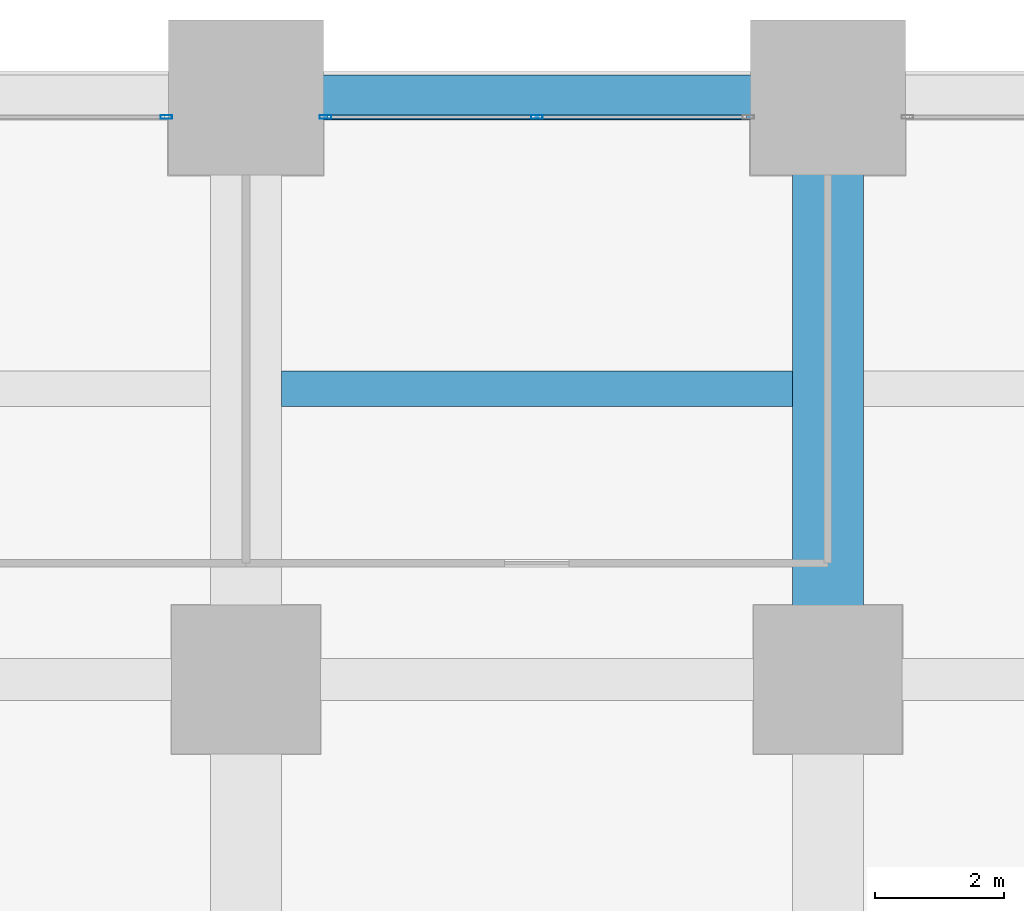
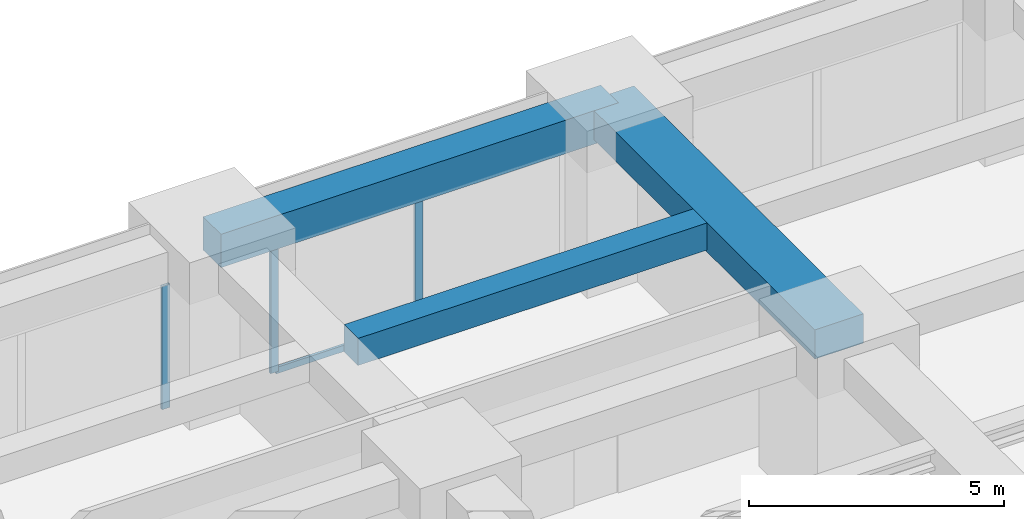
# One storey, part 29 of 45: 4 members, 3 beams, 2 elements without a shape of their own.
"""IFC4 building model written with IfcOpenShell, lengths in metres."""

from ifc_helpers import new_model, si_unit, direction, frame, origin, origin_2d, place, context, subcontext, project, spatial, rectangle, hollow_rectangle, extrude, material, material_profile, profile_set, type_object, element, aggregate, save


model = new_model("IFC4")

# Units and contexts
model_context = context("Model", 3, precision=1e-05, world=origin(), true_north=direction((0.0, 1.0)))
body_context = subcontext(model_context, "Body", "Model", "MODEL_VIEW")
ifc_project = project(units=[si_unit("LENGTHUNIT", "METRE"), si_unit("AREAUNIT", "SQUARE_METRE"), si_unit("VOLUMEUNIT", "CUBIC_METRE"), si_unit("PLANEANGLEUNIT", "RADIAN"), si_unit("MASSUNIT", "GRAM", prefix="KILO")], contexts=[model_context])

# Site, building, storey
site_placement = place(None, origin())
site = spatial("IfcSite", under=ifc_project, at=site_placement, CompositionType="ELEMENT")
building_placement = place(site_placement, origin())
building = spatial("IfcBuilding", under=site, at=building_placement, Name="Zorevar Civic Tower", CompositionType="ELEMENT")
storey_placement = place(building_placement, frame((0.0, 0.0, 27.800048828125)))
storey = spatial("IfcBuildingStorey", under=building, at=storey_placement, Name="L06", CompositionType="ELEMENT", Elevation=27.800048828125)

# Beams
ifc_material_1 = material(Name="Concrete C50/60", Category="concrete")
ifc_material_profile_1 = material_profile(ifc_material_1, rectangle(XDim=1.10009765625, YDim=0.699951171875, at=origin_2d()), Name="RC 1100x700")
ifc_profile_set_1 = profile_set([ifc_material_profile_1], Name="Concrete C50/60")
beam_type_1 = type_object("IfcBeamType", Name="Beam RC 1100x700", PredefinedType="BEAM", material=ifc_profile_set_1)
beam_1_placement = place(storey_placement, frame((27.0, 45.0, 3.39990234375), z_axis=(0.0, 1.0, 0.0), x_axis=(-1.0, 0.0, 0.0)))
element("IfcBeam", 1, at=beam_1_placement, inside=storey, type_object=beam_type_1, Name="Girder L07", PredefinedType="BEAM", context=body_context, shape_type="SweptSolid", body=[
    extrude(rectangle(XDim=1.10009765625, YDim=0.699951171875, at=origin_2d()), origin(), (0.0, 0.0, 1.0), 9.0),
])
ifc_material_2 = material(Name="Concrete C50/60", Category="concrete")
ifc_material_profile_2 = material_profile(ifc_material_2, rectangle(XDim=0.550048828125, YDim=0.64990234375, at=origin_2d()), Name="RC 550x650")
ifc_profile_set_2 = profile_set([ifc_material_profile_2], Name="Concrete C50/60")
beam_type_2 = type_object("IfcBeamType", Name="Beam RC 550x650", PredefinedType="BEAM", material=ifc_profile_set_2)
beam_2_placement = place(storey_placement, frame((18.550048828125, 49.5, 3.425048828125), z_axis=(1.0, 0.0, 0.0), x_axis=(0.0, 1.0, 0.0)))
element("IfcBeam", 2, at=beam_2_placement, inside=storey, type_object=beam_type_2, Name="Secondary beam L07", PredefinedType="BEAM", context=body_context, shape_type="SweptSolid", body=[
    extrude(rectangle(XDim=0.550048828125, YDim=0.64990234375, at=origin_2d()), origin(), (0.0, 0.0, 1.0), 7.89990234375),
])

# Curtain wall, member
ifc_material_3 = material(Name="Dark grey solar-control glass in black aluminium frame", Category="aluminium")
curtain_wall_type = type_object("IfcCurtainWallType", Name="Curtain wall CW2 low zone", PredefinedType="NOTDEFINED", material=ifc_material_3)
curtain_wall_1_placement = place(storey_placement, origin())
curtain_wall_1 = element("IfcCurtainWall", 3, at=curtain_wall_1_placement, inside=storey, type_object=curtain_wall_type, Name="CW2 L06", PredefinedType="NOTDEFINED")
ifc_material_4 = material(Name="Aluminium, black anodised", Category="aluminium")
ifc_material_profile_3 = material_profile(ifc_material_4, hollow_rectangle(XDim=0.06005859375, YDim=0.179931640625, WallThickness=0.00390625, at=origin_2d()), Name="AL 180x60x4")
ifc_profile_set_3 = profile_set([ifc_material_profile_3], Name="Aluminium, black anodised")
member_type_1 = type_object("IfcMemberType", Name="CW2 mullion AL 180x60x4", PredefinedType="MULLION", material=ifc_profile_set_3)
member_1_placement = place(storey_placement, frame((16.77001953125, 53.699951171875, 0.0), z_axis=(0.0, 0.0, 1.0), x_axis=(0.0, 1.0, 0.0)))
member_1 = element("IfcMember", 4, at=member_1_placement, type_object=member_type_1, Name="CW2 mullion 3", PredefinedType="MULLION", context=body_context, shape_type="SweptSolid", body=[
    extrude(hollow_rectangle(XDim=0.06005859375, YDim=0.179931640625, WallThickness=0.00390625, at=origin_2d()), origin(), (0.0, 0.0, 1.0), 2.949951171875),
])
aggregate(curtain_wall_1, [member_1])

# Curtain wall, members
curtain_wall_2_placement = place(storey_placement, origin())
curtain_wall_2 = element("IfcCurtainWall", 5, at=curtain_wall_2_placement, inside=storey, type_object=curtain_wall_type, Name="CW2 L06", PredefinedType="NOTDEFINED")
member_2_placement = place(storey_placement, frame((19.22998046875, 53.699951171875, 0.0), z_axis=(0.0, 0.0, 1.0), x_axis=(0.0, 1.0, 0.0)))
member_2 = element("IfcMember", 6, at=member_2_placement, type_object=member_type_1, Name="CW2 mullion 1", PredefinedType="MULLION", context=body_context, shape_type="SweptSolid", body=[
    extrude(hollow_rectangle(XDim=0.06005859375, YDim=0.179931640625, WallThickness=0.00390625, at=origin_2d()), origin(), (0.0, 0.0, 1.0), 2.949951171875),
])
member_3_placement = place(storey_placement, frame((22.5, 53.699951171875, 0.06005859375), z_axis=(0.0, 0.0, 1.0), x_axis=(0.0, 1.0, 0.0)))
member_3 = element("IfcMember", 7, at=member_3_placement, type_object=member_type_1, Name="CW2 mullion 2", PredefinedType="MULLION", context=body_context, shape_type="SweptSolid", body=[
    extrude(hollow_rectangle(XDim=0.06005859375, YDim=0.179931640625, WallThickness=0.00390625, at=origin_2d()), origin(), (0.0, 0.0, 1.0), 2.889892578125),
])
ifc_material_5 = material(Name="Aluminium, black anodised", Category="aluminium")
ifc_material_profile_4 = material_profile(ifc_material_5, hollow_rectangle(XDim=0.06005859375, YDim=0.14990234375, WallThickness=0.00390625, at=origin_2d()), Name="AL 150x60x4")
ifc_profile_set_4 = profile_set([ifc_material_profile_4], Name="Aluminium, black anodised")
member_type_2 = type_object("IfcMemberType", Name="CW2 transom AL 150x60x4", PredefinedType="USERDEFINED", material=ifc_profile_set_4)
member_4_placement = place(storey_placement, frame((19.260009765625, 53.699951171875, 0.030029296875), z_axis=(1.0, 0.0, 0.0), x_axis=(0.0, 1.0, 0.0)))
member_4 = element("IfcMember", 8, at=member_4_placement, type_object=member_type_2, Name="CW2 sill transom", ObjectType="TRANSOM", PredefinedType="USERDEFINED", context=body_context, shape_type="SweptSolid", body=[
    extrude(hollow_rectangle(XDim=0.06005859375, YDim=0.14990234375, WallThickness=0.00390625, at=origin_2d()), origin(), (0.0, 0.0, 1.0), 6.47998046875),
])
aggregate(curtain_wall_2, [member_2, member_3, member_4])

# Beam
ifc_material_6 = material(Name="Concrete C50/60", Category="concrete")
ifc_material_profile_5 = material_profile(ifc_material_6, rectangle(XDim=0.699951171875, YDim=0.800048828125, at=origin_2d()), Name="RC 700x800")
ifc_profile_set_5 = profile_set([ifc_material_profile_5], Name="Concrete C50/60")
beam_type_3 = type_object("IfcBeamType", Name="Edge beam RC 700x800", PredefinedType="SPANDREL", material=ifc_profile_set_5)
beam_3_placement = place(storey_placement, frame((18.0, 54.0, 3.349853515625), z_axis=(1.0, 0.0, 0.0), x_axis=(0.0, 1.0, 0.0)))
element("IfcBeam", 9, at=beam_3_placement, inside=storey, type_object=beam_type_3, Name="Edge beam L07", PredefinedType="SPANDREL", context=body_context, shape_type="SweptSolid", body=[
    extrude(rectangle(XDim=0.699951171875, YDim=0.800048828125, at=origin_2d()), origin(), (0.0, 0.0, 1.0), 9.0),
])

save(model, "model.ifc")
